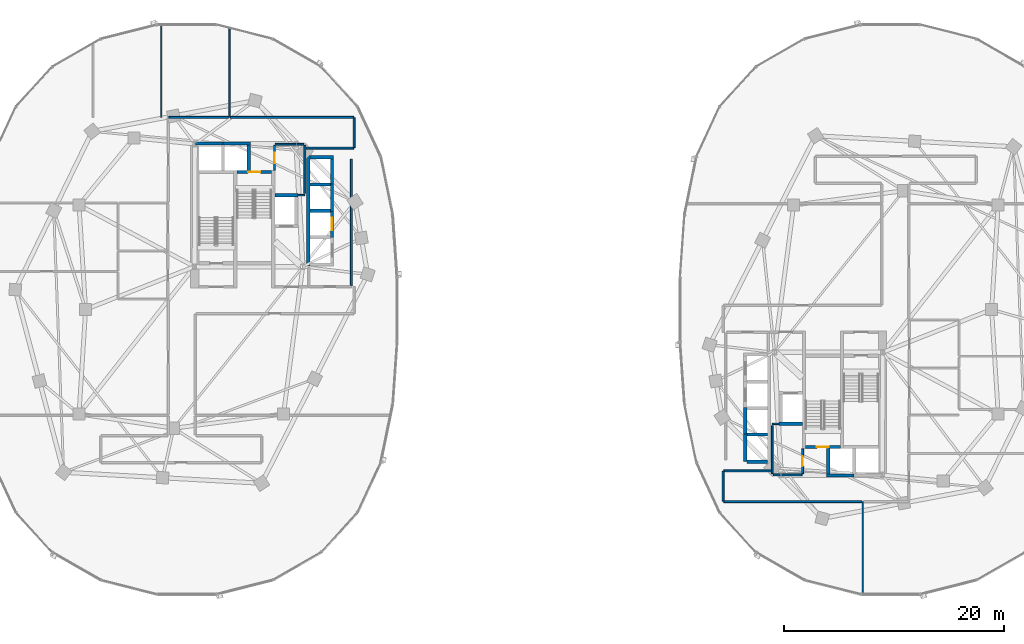
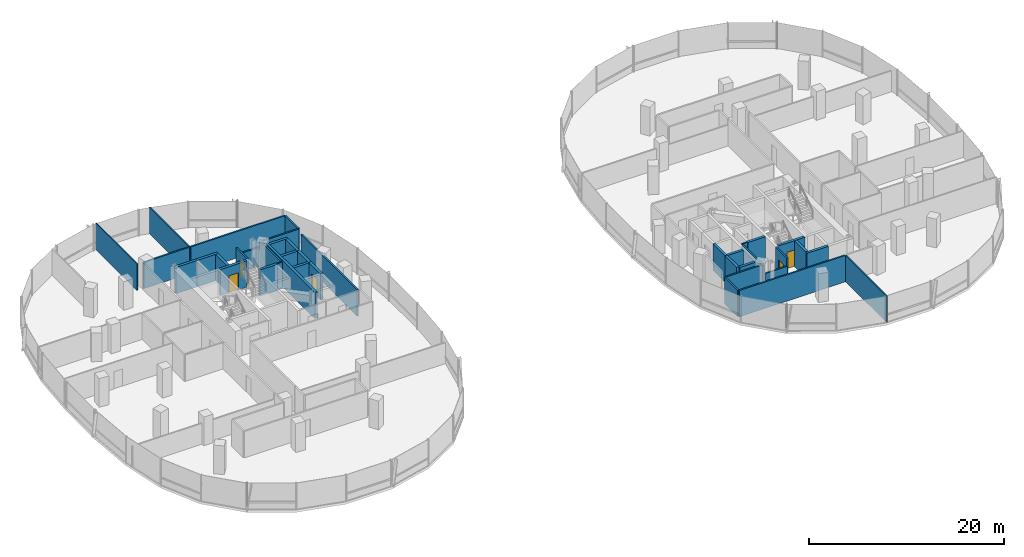
# One storey, part 12 of 21: 39 walls, 5 doors, 5 openings.
"""IFC4 building model written with IfcOpenShell, lengths in metres."""

from ifc_helpers import new_model, si_unit, direction, frame, frame_2d, origin, place, context, subcontext, project, spatial, rectangle, extrude, material, layer, layer_set, type_object, element, fill, save


model = new_model("IFC4")

# Units and contexts
model_context = context("Model", 3, precision=1e-05, world=origin(), true_north=direction((0.0, 1.0)))
body_context = subcontext(model_context, "Body", "Model", "MODEL_VIEW")
ifc_project = project(units=[si_unit("LENGTHUNIT", "METRE"), si_unit("AREAUNIT", "SQUARE_METRE"), si_unit("VOLUMEUNIT", "CUBIC_METRE"), si_unit("PLANEANGLEUNIT", "RADIAN"), si_unit("MASSUNIT", "GRAM", prefix="KILO"), si_unit("THERMODYNAMICTEMPERATUREUNIT", "KELVIN"), si_unit("POWERUNIT", "WATT")], contexts=[model_context])

# Site, building, storey
site_placement = place(None, origin())
site = spatial("IfcSite", under=ifc_project, at=site_placement, CompositionType="ELEMENT")
building_placement = place(site_placement, origin())
building = spatial("IfcBuilding", under=site, at=building_placement, Name="Cundina Bronze Exchange", CompositionType="ELEMENT")
storey_placement = place(building_placement, frame((0.0, 0.0, 96.199951171875)))
storey = spatial("IfcBuildingStorey", under=building, at=storey_placement, Name="L24", CompositionType="ELEMENT", Elevation=96.199951171875)

# Walls
ifc_material_1 = material(Name="Gypsum Fireboard Partition EI120")
ifc_layer_1 = layer(ifc_material_1, 0.179931640625, Name="Gypsum Fireboard Partition EI120")
ifc_layer_set_1 = layer_set([ifc_layer_1], Name="Gypsum Fireboard Partition EI120")
wall_type_1 = type_object("IfcWallType", Name="WL-COR-180", PredefinedType="PARTITIONING", material=ifc_layer_set_1)
wall_1_placement = place(storey_placement, frame((-17.02001953125, 2.169921875, 0.0), z_axis=(0.0, 0.0, 1.0), x_axis=(0.0, 1.0, 0.0)))
element("IfcWall", 1, at=wall_1_placement, inside=storey, type_object=wall_type_1, Name="L24 Interior Partition 001", PredefinedType="PARTITIONING", context=body_context, shape_type="SweptSolid", body=[
    extrude(rectangle(XDim=11.510009765625, YDim=0.179931640625, at=frame_2d((5.7548828125, 0.0))), origin(), (0.0, 0.0, 1.0), 3.300048828125),
])
wall_2_placement = place(storey_placement, frame((-21.25, 10.570068359375, 0.0), z_axis=(0.0, 0.0, 1.0), x_axis=(0.0, 1.0, 0.0)))
element("IfcWall", 2, at=wall_2_placement, inside=storey, type_object=wall_type_1, Name="L24 Interior Partition 004", PredefinedType="PARTITIONING", context=body_context, shape_type="SweptSolid", body=[
    extrude(rectangle(XDim=4.35986328125, YDim=0.179931640625, at=frame_2d((2.179931640625, 0.0))), origin(), (0.0, 0.0, 1.0), 3.300048828125),
])
wall_3_placement = place(storey_placement, frame((-23.9599609375, 15.030029296875, 0.0), z_axis=(0.0, 0.0, 1.0), x_axis=(1.0, 0.0, 0.0)))
element("IfcWall", 3, at=wall_3_placement, inside=storey, type_object=wall_type_1, Name="L24 Interior Partition 005", PredefinedType="PARTITIONING", context=body_context, shape_type="SweptSolid", body=[
    extrude(rectangle(XDim=2.60986328125, YDim=0.179931640625, at=frame_2d((1.304931640625, 0.0))), origin(), (0.0, 0.0, 1.0), 2.373046875),
])

# Wall, opening, door
wall_4_placement = place(storey_placement, frame((-24.02001953125, 12.669921875, 0.0), z_axis=(0.0, 0.0, 1.0), x_axis=(0.0, 1.0, 0.0)))
wall_4 = element("IfcWall", 4, at=wall_4_placement, inside=storey, type_object=wall_type_1, Name="L24 Interior Partition 006", PredefinedType="PARTITIONING", context=body_context, shape_type="SweptSolid", body=[
    extrude(rectangle(XDim=2.260009765625, YDim=0.179931640625, at=frame_2d((1.1298828125, 0.0))), origin(), (0.0, 0.0, 1.0), 3.300048828125),
])
opening_1_placement = place(wall_4_placement, frame((0.655029296875, 0.0, 0.0)))
opening_1 = element("IfcOpeningElement", 5, at=opening_1_placement, cuts=wall_4, Name="Opening DW-01", PredefinedType="OPENING", context=body_context, shape_type="SweptSolid", body=[
    extrude(rectangle(XDim=0.949951171875, YDim=2.10009765625, at=frame_2d((0.47509765625, 1.050048828125))), frame((0.0, 0.099853515625, 0.0), z_axis=(0.0, -1.0, 0.0), x_axis=(1.0, 0.0, 0.0)), (0.0, 0.0, 1.0), 0.199951171875),
])
ifc_material_2 = material(Name="Solid Andean Oak Timber Grade A", Category="wood")
door_type_1 = type_object("IfcDoorType", Name="DR-WC-950", OperationType="NOTDEFINED", PredefinedType="DOOR", material=ifc_material_2)
door_1_placement = place(opening_1_placement, origin())
door_1 = element("IfcDoor", 6, at=door_1_placement, inside=storey, type_object=door_type_1, Name="L24 Interior Door 006", OperationType="SINGLE_SWING_RIGHT", OverallHeight=2.10009765625, OverallWidth=0.949951171875, PredefinedType="DOOR", context=body_context, shape_type="SweptSolid", body=[
    extrude(rectangle(XDim=0.949951171875, YDim=2.10009765625, at=frame_2d((0.47509765625, 1.050048828125))), frame((0.0, 0.02490234375, 0.0), z_axis=(0.0, -1.0, 0.0), x_axis=(1.0, 0.0, 0.0)), (0.0, 0.0, 1.0), 0.050048828125),
])
fill(opening_1, door_1)

# Walls
wall_5_placement = place(storey_placement, frame((-16.821533203125, 17.469970703125, 0.0), z_axis=(0.0, 0.0, 1.0), x_axis=(-1.0, 0.0, 0.0)))
element("IfcWall", 7, at=wall_5_placement, inside=storey, type_object=wall_type_1, Name="L24 Interior Partition 030", PredefinedType="PARTITIONING", context=body_context, shape_type="SweptSolid", body=[
    extrude(rectangle(XDim=11.20849609375, YDim=0.179931640625, at=frame_2d((5.604248046875, 0.0))), origin(), (0.0, 0.0, 1.0), 3.300048828125),
])
wall_6_placement = place(storey_placement, frame((-21.178466796875, 14.679931640625, 0.0), z_axis=(0.0, 0.0, 1.0), x_axis=(1.0, 0.0, 0.0)))
element("IfcWall", 8, at=wall_6_placement, inside=storey, type_object=wall_type_1, Name="L24 Interior Partition 032", PredefinedType="PARTITIONING", context=body_context, shape_type="SweptSolid", body=[
    extrude(rectangle(XDim=4.35693359375, YDim=0.179931640625, at=frame_2d((2.178466796875, 0.0))), origin(), (0.0, 0.0, 1.0), 3.300048828125),
])
wall_7_placement = place(storey_placement, frame((-16.780029296875, 14.721435546875, 0.0), z_axis=(0.0, 0.0, 1.0), x_axis=(0.0, 1.0, 0.0)))
element("IfcWall", 9, at=wall_7_placement, inside=storey, type_object=wall_type_1, Name="L24 Interior Partition 033", PredefinedType="PARTITIONING", context=body_context, shape_type="SweptSolid", body=[
    extrude(rectangle(XDim=2.70703125, YDim=0.179931640625, at=frame_2d((1.353515625, 0.0))), origin(), (0.0, 0.0, 1.0), 3.300048828125),
])
wall_8_placement = place(storey_placement, frame((-28.2099609375, 17.469970703125, 0.0), z_axis=(0.0, 0.0, 1.0), x_axis=(-1.0, 0.0, 0.0)))
element("IfcWall", 10, at=wall_8_placement, inside=storey, type_object=wall_type_1, Name="L24 Interior Partition 036", PredefinedType="PARTITIONING", context=body_context, shape_type="SweptSolid", body=[
    extrude(rectangle(XDim=5.41845703125, YDim=0.179931640625, at=frame_2d((2.709228515625, 0.0))), origin(), (0.0, 0.0, 1.0), 3.300048828125),
])
wall_9_placement = place(storey_placement, frame((21.25, -14.929931640625, 0.0), z_axis=(0.0, 0.0, 1.0), x_axis=(0.0, 1.0, 0.0)))
element("IfcWall", 11, at=wall_9_placement, inside=storey, type_object=wall_type_1, Name="L24 Interior Partition 041", PredefinedType="PARTITIONING", context=body_context, shape_type="SweptSolid", body=[
    extrude(rectangle(XDim=4.35986328125, YDim=0.179931640625, at=frame_2d((2.179931640625, 0.0))), origin(), (0.0, 0.0, 1.0), 3.300048828125),
])
wall_10_placement = place(storey_placement, frame((21.35009765625, -15.030029296875, 0.0), z_axis=(0.0, 0.0, 1.0), x_axis=(1.0, 0.0, 0.0)))
element("IfcWall", 12, at=wall_10_placement, inside=storey, type_object=wall_type_1, Name="L24 Interior Partition 042", PredefinedType="PARTITIONING", context=body_context, shape_type="SweptSolid", body=[
    extrude(rectangle(XDim=2.60986328125, YDim=0.179931640625, at=frame_2d((1.304931640625, 0.0))), origin(), (0.0, 0.0, 1.0), 2.373046875),
])

# Wall, opening, door
wall_11_placement = place(storey_placement, frame((24.02001953125, -14.929931640625, 0.0), z_axis=(0.0, 0.0, 1.0), x_axis=(0.0, 1.0, 0.0)))
wall_11 = element("IfcWall", 13, at=wall_11_placement, inside=storey, type_object=wall_type_1, Name="L24 Interior Partition 043", PredefinedType="PARTITIONING", context=body_context, shape_type="SweptSolid", body=[
    extrude(rectangle(XDim=2.260009765625, YDim=0.179931640625, at=frame_2d((1.1298828125, 0.0))), origin(), (0.0, 0.0, 1.0), 3.300048828125),
])
opening_2_placement = place(wall_11_placement, frame((0.655029296875, 0.0, 0.0)))
opening_2 = element("IfcOpeningElement", 14, at=opening_2_placement, cuts=wall_11, Name="Opening DW-01", PredefinedType="OPENING", context=body_context, shape_type="SweptSolid", body=[
    extrude(rectangle(XDim=0.949951171875, YDim=2.10009765625, at=frame_2d((0.47509765625, 1.050048828125))), frame((0.0, 0.099853515625, 0.0), z_axis=(0.0, -1.0, 0.0), x_axis=(1.0, 0.0, 0.0)), (0.0, 0.0, 1.0), 0.199951171875),
])
door_2_placement = place(opening_2_placement, origin())
door_2 = element("IfcDoor", 15, at=door_2_placement, inside=storey, type_object=door_type_1, Name="L24 Interior Door 043", OperationType="SINGLE_SWING_LEFT", OverallHeight=2.10009765625, OverallWidth=0.949951171875, PredefinedType="DOOR", context=body_context, shape_type="SweptSolid", body=[
    extrude(rectangle(XDim=0.949951171875, YDim=2.10009765625, at=frame_2d((0.47509765625, 1.050048828125))), frame((0.0, 0.02490234375, 0.0), z_axis=(0.0, -1.0, 0.0), x_axis=(1.0, 0.0, 0.0)), (0.0, 0.0, 1.0), 0.050048828125),
])
fill(opening_2, door_2)

# Walls
wall_12_placement = place(storey_placement, frame((16.821533203125, -17.469970703125, 0.0), z_axis=(0.0, 0.0, 1.0), x_axis=(1.0, 0.0, 0.0)))
element("IfcWall", 16, at=wall_12_placement, inside=storey, type_object=wall_type_1, Name="L24 Interior Partition 061", PredefinedType="PARTITIONING", context=body_context, shape_type="SweptSolid", body=[
    extrude(rectangle(XDim=12.568359375, YDim=0.179931640625, at=frame_2d((6.2841796875, 0.0))), origin(), (0.0, 0.0, 1.0), 3.300048828125),
])
wall_13_placement = place(storey_placement, frame((21.178466796875, -14.679931640625, 0.0), z_axis=(0.0, 0.0, 1.0), x_axis=(-1.0, 0.0, 0.0)))
element("IfcWall", 17, at=wall_13_placement, inside=storey, type_object=wall_type_1, Name="L24 Interior Partition 063", PredefinedType="PARTITIONING", context=body_context, shape_type="SweptSolid", body=[
    extrude(rectangle(XDim=4.35693359375, YDim=0.179931640625, at=frame_2d((2.178466796875, 0.0))), origin(), (0.0, 0.0, 1.0), 3.300048828125),
])
wall_14_placement = place(storey_placement, frame((16.780029296875, -14.721435546875, 0.0), z_axis=(0.0, 0.0, 1.0), x_axis=(0.0, -1.0, 0.0)))
element("IfcWall", 18, at=wall_14_placement, inside=storey, type_object=wall_type_1, Name="L24 Interior Partition 064", PredefinedType="PARTITIONING", context=body_context, shape_type="SweptSolid", body=[
    extrude(rectangle(XDim=2.70703125, YDim=0.179931640625, at=frame_2d((1.353515625, 0.0))), origin(), (0.0, 0.0, 1.0), 3.300048828125),
])
ifc_material_3 = material(Name="Gypsum Acoustic Partition EI60")
ifc_layer_2 = layer(ifc_material_3, 0.125, Name="Gypsum Acoustic Partition EI60")
ifc_layer_set_2 = layer_set([ifc_layer_2], Name="Gypsum Acoustic Partition EI60")
wall_type_2 = type_object("IfcWallType", Name="WL-OFF-125", PredefinedType="PARTITIONING", material=ifc_layer_set_2)
wall_15_placement = place(storey_placement, frame((-34.320068359375, 17.469970703125, 0.0), z_axis=(0.0, 0.0, 1.0), x_axis=(0.0, 1.0, 0.0)))
element("IfcWall", 19, at=wall_15_placement, inside=storey, type_object=wall_type_2, Name="L24 Interior Partition 019", PredefinedType="PARTITIONING", context=body_context, shape_type="SweptSolid", body=[
    extrude(rectangle(XDim=8.51513671875, YDim=0.125, at=frame_2d((4.257568359375, 0.0))), origin(), (0.0, 0.0, 1.0), 3.300048828125),
])
wall_16_placement = place(storey_placement, frame((-28.1201171875, 17.5, 0.0), z_axis=(0.0, 0.0, 1.0), x_axis=(0.0, 1.0, 0.0)))
element("IfcWall", 20, at=wall_16_placement, inside=storey, type_object=wall_type_2, Name="L24 Interior Partition 020", PredefinedType="PARTITIONING", context=body_context, shape_type="SweptSolid", body=[
    extrude(rectangle(XDim=8.1875, YDim=0.125, at=frame_2d((4.09375, 0.0))), origin(), (0.0, 0.0, 1.0), 3.300048828125),
])
wall_17_placement = place(storey_placement, frame((29.47998046875, -25.985107421875, 0.0), z_axis=(0.0, 0.0, 1.0), x_axis=(0.0, 1.0, 0.0)))
element("IfcWall", 21, at=wall_17_placement, inside=storey, type_object=wall_type_2, Name="L24 Interior Partition 056", PredefinedType="PARTITIONING", context=body_context, shape_type="SweptSolid", body=[
    extrude(rectangle(XDim=8.485107421875, YDim=0.125, at=frame_2d((4.24267578125, 0.0))), origin(), (0.0, 0.0, 1.0), 3.300048828125),
])

# Wall, opening, door
ifc_material_4 = material(Name="Concrete C50/60", Category="concrete")
ifc_layer_3 = layer(ifc_material_4, 0.300048828125, Name="Concrete C50/60", Category="concrete")
ifc_layer_set_3 = layer_set([ifc_layer_3], Name="Concrete C50/60")
wall_type_3 = type_object("IfcWallType", Name="WL-SHFT-300", PredefinedType="SHEAR", material=ifc_layer_set_3)
wall_18_placement = place(storey_placement, frame((-27.43994140625, 12.5, 0.0), z_axis=(0.0, 0.0, 1.0), x_axis=(1.0, 0.0, 0.0)))
wall_18 = element("IfcWall", 22, at=wall_18_placement, inside=storey, type_object=wall_type_3, Name="L24 Stair W2 Landing Wall", PredefinedType="SHEAR", context=body_context, shape_type="SweptSolid", body=[
    extrude(rectangle(XDim=3.159912109375, YDim=0.300048828125, at=frame_2d((1.580078125, 0.0))), origin(), (0.0, 0.0, 1.0), 3.300048828125),
])
opening_3_placement = place(wall_18_placement, frame((1.030029296875, 0.0, 0.0)))
opening_3 = element("IfcOpeningElement", 23, at=opening_3_placement, cuts=wall_18, Name="Opening DS-01", PredefinedType="OPENING", context=body_context, shape_type="SweptSolid", body=[
    extrude(rectangle(XDim=1.10009765625, YDim=2.14990234375, at=frame_2d((0.550048828125, 1.074951171875))), frame((0.0, 0.159912109375, 0.0), z_axis=(0.0, -1.0, 0.0), x_axis=(1.0, 0.0, 0.0)), (0.0, 0.0, 1.0), 0.320068359375),
])
ifc_material_5 = material(Name="Steel ASTM A36 Painted", Category="steel")
door_type_2 = type_object("IfcDoorType", Name="DR-STR-1100", OperationType="NOTDEFINED", PredefinedType="DOOR", material=ifc_material_5)
door_3_placement = place(opening_3_placement, origin())
door_3 = element("IfcDoor", 24, at=door_3_placement, inside=storey, type_object=door_type_2, Name="L24 Smokeproof Stair W2 Door", OperationType="SINGLE_SWING_LEFT", OverallHeight=2.14990234375, OverallWidth=1.10009765625, PredefinedType="DOOR", context=body_context, shape_type="SweptSolid", body=[
    extrude(rectangle(XDim=1.10009765625, YDim=2.14990234375, at=frame_2d((0.550048828125, 1.074951171875))), frame((0.0, 0.02490234375, 0.0), z_axis=(0.0, -1.0, 0.0), x_axis=(1.0, 0.0, 0.0)), (0.0, 0.0, 1.0), 0.050048828125),
])
fill(opening_3, door_3)

# Walls
wall_19_placement = place(storey_placement, frame((-23.97998046875, 10.39990234375, 0.0), z_axis=(0.0, 0.0, 1.0), x_axis=(1.0, 0.0, 0.0)))
element("IfcWall", 25, at=wall_19_placement, inside=storey, type_object=wall_type_3, Name="L24 FFL-W Hoistway Back Wall", PredefinedType="SHEAR", context=body_context, shape_type="SweptSolid", body=[
    extrude(rectangle(XDim=2.10009765625, YDim=0.300048828125, at=frame_2d((1.050048828125, 0.0))), origin(), (0.0, 0.0, 1.0), 3.300048828125),
])
for number, where, z_axis, x_axis, name in (
    (26, (-31.199951171875, 15.10009765625, 0.0), (0.0, 0.0, 1.0), (1.0, 0.0, 0.0), "L24 PH-W1 Hoistway Front Wall"),
    (27, (-28.699951171875, 15.10009765625, 0.0), (0.0, 0.0, 1.0), (1.0, 0.0, 0.0), "L24 PH-W2 Hoistway Front Wall"),
):
    element("IfcWall", number, at=place(storey_placement, frame(where, z_axis=z_axis, x_axis=x_axis)), inside=storey, type_object=wall_type_3, Name=name, PredefinedType="SHEAR", context=body_context, shape_type="SweptSolid", body=[
        extrude(rectangle(XDim=2.5, YDim=0.300048828125, at=frame_2d((1.25, 0.0))), origin(), (0.0, 0.0, 1.0), 3.300048828125),
    ])
wall_20_placement = place(storey_placement, frame((-26.35009765625, 12.64990234375, 0.0), z_axis=(0.0, 0.0, 1.0), x_axis=(0.0, 1.0, 0.0)))
element("IfcWall", 28, at=wall_20_placement, inside=storey, type_object=wall_type_3, Name="L24 PH-W2 Hoistway Divider Wall", PredefinedType="SHEAR", context=body_context, shape_type="SweptSolid", body=[
    extrude(rectangle(XDim=2.300048828125, YDim=0.300048828125, at=frame_2d((1.14990234375, 0.0))), origin(), (0.0, 0.0, 1.0), 3.300048828125),
])
wall_21_placement = place(storey_placement, frame((-20.949951171875, 3.949951171875, 0.0), z_axis=(0.0, 0.0, 1.0), x_axis=(0.0, 1.0, 0.0)))
element("IfcWall", 29, at=wall_21_placement, inside=storey, type_object=wall_type_3, Name="L24 W Passenger Bank Hoistway Back Wall", PredefinedType="SHEAR", context=body_context, shape_type="SweptSolid", body=[
    extrude(rectangle(XDim=10.050048828125, YDim=0.300048828125, at=frame_2d((5.02490234375, 0.0))), origin(), (0.0, 0.0, 1.0), 3.300048828125),
])
wall_22_placement = place(storey_placement, frame((-20.800048828125, 13.85009765625, 0.0), z_axis=(0.0, 0.0, 1.0), x_axis=(1.0, 0.0, 0.0)))
element("IfcWall", 30, at=wall_22_placement, inside=storey, type_object=wall_type_3, Name="L24 W Passenger Bank North Cap Wall", PredefinedType="SHEAR", context=body_context, shape_type="SweptSolid", body=[
    extrude(rectangle(XDim=2.150146484375, YDim=0.300048828125, at=frame_2d((1.0751953125, 0.0))), origin(), (0.0, 0.0, 1.0), 3.300048828125),
])
for number, where, z_axis, x_axis, name in (
    (31, (-20.800048828125, 8.97509765625, 0.0), (0.0, 0.0, 1.0), (1.0, 0.0, 0.0), "L24 W Passenger Hoistway Divider 2"),
    (32, (-20.800048828125, 11.375, 0.0), (0.0, 0.0, 1.0), (1.0, 0.0, 0.0), "L24 W Passenger Hoistway Divider 3"),
):
    element("IfcWall", number, at=place(storey_placement, frame(where, z_axis=z_axis, x_axis=x_axis)), inside=storey, type_object=wall_type_3, Name=name, PredefinedType="SHEAR", context=body_context, shape_type="SweptSolid", body=[
        extrude(rectangle(XDim=1.85009765625, YDim=0.300048828125, at=frame_2d((0.925048828125, 0.0))), origin(), (0.0, 0.0, 1.0), 3.300048828125),
    ])

# Wall, opening, door
wall_23_placement = place(storey_placement, frame((-18.800048828125, 6.530029296875, 0.0), z_axis=(0.0, 0.0, 1.0), x_axis=(0.0, 1.0, 0.0)))
wall_23 = element("IfcWall", 33, at=wall_23_placement, inside=storey, type_object=wall_type_3, Name="L24 PL-W1 Hoistway Front Wall", PredefinedType="SHEAR", context=body_context, shape_type="SweptSolid", body=[
    extrude(rectangle(XDim=2.489990234375, YDim=0.300048828125, at=frame_2d((1.2451171875, 0.0))), origin(), (0.0, 0.0, 1.0), 3.300048828125),
])
opening_4_placement = place(wall_23_placement, frame((0.669921875, 0.0, 0.0)))
opening_4 = element("IfcOpeningElement", 34, at=opening_4_placement, cuts=wall_23, Name="Opening LD-01", PredefinedType="OPENING", context=body_context, shape_type="SweptSolid", body=[
    extrude(rectangle(XDim=1.14990234375, YDim=2.199951171875, at=frame_2d((0.574951171875, 1.10009765625))), frame((0.0, 0.159912109375, 0.0), z_axis=(0.0, -1.0, 0.0), x_axis=(1.0, 0.0, 0.0)), (0.0, 0.0, 1.0), 0.320068359375),
])
door_type_3 = type_object("IfcDoorType", Name="DR-LND-1150", OperationType="NOTDEFINED", PredefinedType="TRAPDOOR", material=ifc_material_5)
door_4_placement = place(opening_4_placement, origin())
door_4 = element("IfcDoor", 35, at=door_4_placement, inside=storey, type_object=door_type_3, Name="L24 PL-W1 Sliding Landing Door", OperationType="SLIDING_TO_LEFT", OverallHeight=2.199951171875, OverallWidth=1.14990234375, PredefinedType="TRAPDOOR", context=body_context, shape_type="SweptSolid", body=[
    extrude(rectangle(XDim=1.14990234375, YDim=2.199951171875, at=frame_2d((0.574951171875, 1.10009765625))), frame((0.0, 0.02490234375, 0.0), z_axis=(0.0, -1.0, 0.0), x_axis=(1.0, 0.0, 0.0)), (0.0, 0.0, 1.0), 0.050048828125),
])
fill(opening_4, door_4)

# Walls
for number, where, z_axis, x_axis, name in (
    (36, (-18.800048828125, 8.929931640625, 0.0), (0.0, 0.0, 1.0), (0.0, 1.0, 0.0), "L24 PM-W2 Hoistway Front Wall"),
    (37, (-18.800048828125, 11.330078125, 0.0), (0.0, 0.0, 1.0), (0.0, 1.0, 0.0), "L24 PM-W1 Hoistway Front Wall"),
):
    element("IfcWall", number, at=place(storey_placement, frame(where, z_axis=z_axis, x_axis=x_axis)), inside=storey, type_object=wall_type_3, Name=name, PredefinedType="SHEAR", context=body_context, shape_type="SweptSolid", body=[
        extrude(rectangle(XDim=2.489990234375, YDim=0.300048828125, at=frame_2d((1.2451171875, 0.0))), origin(), (0.0, 0.0, 1.0), 3.300048828125),
    ])

# Wall, opening, door
wall_24_placement = place(storey_placement, frame((24.280029296875, -12.5, 0.0), z_axis=(0.0, 0.0, 1.0), x_axis=(1.0, 0.0, 0.0)))
wall_24 = element("IfcWall", 38, at=wall_24_placement, inside=storey, type_object=wall_type_3, Name="L24 Stair E2 Landing Wall", PredefinedType="SHEAR", context=body_context, shape_type="SweptSolid", body=[
    extrude(rectangle(XDim=3.159912109375, YDim=0.300048828125, at=frame_2d((1.580078125, 0.0))), origin(), (0.0, 0.0, 1.0), 3.300048828125),
])
opening_5_placement = place(wall_24_placement, frame((1.030029296875, 0.0, 0.0)))
opening_5 = element("IfcOpeningElement", 39, at=opening_5_placement, cuts=wall_24, Name="Opening DS-01", PredefinedType="OPENING", context=body_context, shape_type="SweptSolid", body=[
    extrude(rectangle(XDim=1.10009765625, YDim=2.14990234375, at=frame_2d((0.550048828125, 1.074951171875))), frame((0.0, 0.159912109375, 0.0), z_axis=(0.0, -1.0, 0.0), x_axis=(1.0, 0.0, 0.0)), (0.0, 0.0, 1.0), 0.320068359375),
])
door_5_placement = place(opening_5_placement, origin())
door_5 = element("IfcDoor", 40, at=door_5_placement, inside=storey, type_object=door_type_2, Name="L24 Smokeproof Stair E2 Door", OperationType="SINGLE_SWING_RIGHT", OverallHeight=2.14990234375, OverallWidth=1.10009765625, PredefinedType="DOOR", context=body_context, shape_type="SweptSolid", body=[
    extrude(rectangle(XDim=1.10009765625, YDim=2.14990234375, at=frame_2d((0.550048828125, 1.074951171875))), frame((0.0, 0.02490234375, 0.0), z_axis=(0.0, -1.0, 0.0), x_axis=(1.0, 0.0, 0.0)), (0.0, 0.0, 1.0), 0.050048828125),
])
fill(opening_5, door_5)

# Walls
wall_25_placement = place(storey_placement, frame((21.8798828125, -10.39990234375, 0.0), z_axis=(0.0, 0.0, 1.0), x_axis=(1.0, 0.0, 0.0)))
element("IfcWall", 41, at=wall_25_placement, inside=storey, type_object=wall_type_3, Name="L24 FFL-E Hoistway Back Wall", PredefinedType="SHEAR", context=body_context, shape_type="SweptSolid", body=[
    extrude(rectangle(XDim=2.10009765625, YDim=0.300048828125, at=frame_2d((1.050048828125, 0.0))), origin(), (0.0, 0.0, 1.0), 3.300048828125),
])
wall_26_placement = place(storey_placement, frame((26.199951171875, -15.10009765625, 0.0), z_axis=(0.0, 0.0, 1.0), x_axis=(1.0, 0.0, 0.0)))
element("IfcWall", 42, at=wall_26_placement, inside=storey, type_object=wall_type_3, Name="L24 PH-E2 Hoistway Front Wall", PredefinedType="SHEAR", context=body_context, shape_type="SweptSolid", body=[
    extrude(rectangle(XDim=2.5, YDim=0.300048828125, at=frame_2d((1.25, 0.0))), origin(), (0.0, 0.0, 1.0), 3.300048828125),
])
wall_27_placement = place(storey_placement, frame((26.35009765625, -14.949951171875, 0.0), z_axis=(0.0, 0.0, 1.0), x_axis=(0.0, 1.0, 0.0)))
element("IfcWall", 43, at=wall_27_placement, inside=storey, type_object=wall_type_3, Name="L24 PH-E2 Hoistway Divider Wall", PredefinedType="SHEAR", context=body_context, shape_type="SweptSolid", body=[
    extrude(rectangle(XDim=2.300048828125, YDim=0.300048828125, at=frame_2d((1.14990234375, 0.0))), origin(), (0.0, 0.0, 1.0), 3.300048828125),
])
for number, where, z_axis, x_axis, name in (
    (44, (18.949951171875, -13.85009765625, 0.0), (0.0, 0.0, 1.0), (1.0, 0.0, 0.0), "L24 E Passenger Bank South Cap Wall"),
    (45, (18.949951171875, -11.375, 0.0), (0.0, 0.0, 1.0), (1.0, 0.0, 0.0), "L24 E Passenger Hoistway Divider 1"),
):
    element("IfcWall", number, at=place(storey_placement, frame(where, z_axis=z_axis, x_axis=x_axis)), inside=storey, type_object=wall_type_3, Name=name, PredefinedType="SHEAR", context=body_context, shape_type="SweptSolid", body=[
        extrude(rectangle(XDim=1.85009765625, YDim=0.300048828125, at=frame_2d((0.925048828125, 0.0))), origin(), (0.0, 0.0, 1.0), 3.300048828125),
    ])
for number, where, z_axis, x_axis, name in (
    (46, (18.800048828125, -13.820068359375, 0.0), (0.0, 0.0, 1.0), (0.0, 1.0, 0.0), "L24 PM-E1 Hoistway Front Wall"),
    (47, (18.800048828125, -11.419921875, 0.0), (0.0, 0.0, 1.0), (0.0, 1.0, 0.0), "L24 PM-E2 Hoistway Front Wall"),
):
    element("IfcWall", number, at=place(storey_placement, frame(where, z_axis=z_axis, x_axis=x_axis)), inside=storey, type_object=wall_type_3, Name=name, PredefinedType="SHEAR", context=body_context, shape_type="SweptSolid", body=[
        extrude(rectangle(XDim=2.489990234375, YDim=0.300048828125, at=frame_2d((1.2451171875, 0.0))), origin(), (0.0, 0.0, 1.0), 3.300048828125),
    ])
ifc_material_6 = material(Name="Moisture-Resistant Masonry Block Grade M15", Category="masonry")
ifc_layer_4 = layer(ifc_material_6, 0.139892578125, Name="Moisture-Resistant Masonry Block Grade M15", Category="masonry")
ifc_layer_set_4 = layer_set([ifc_layer_4], Name="Moisture-Resistant Masonry Block Grade M15")
wall_type_4 = type_object("IfcWallType", Name="WL-WET-140", PredefinedType="PARTITIONING", material=ifc_layer_set_4)
for number, where, z_axis, x_axis, name in (
    (48, (-21.860107421875, 10.39990234375, 0.0), (0.0, 0.0, 1.0), (1.0, 0.0, 0.0), "L24 Interior Partition 003"),
    (49, (21.27001953125, -10.39990234375, 0.0), (0.0, 0.0, 1.0), (1.0, 0.0, 0.0), "L24 Interior Partition 040"),
):
    element("IfcWall", number, at=place(storey_placement, frame(where, z_axis=z_axis, x_axis=x_axis)), inside=storey, type_object=wall_type_4, Name=name, PredefinedType="PARTITIONING", context=body_context, shape_type="SweptSolid", body=[
        extrude(rectangle(XDim=0.590087890625, YDim=0.139892578125, at=frame_2d((0.294921875, 0.0))), origin(), (0.0, 0.0, 1.0), 3.300048828125),
    ])

save(model, "model.ifc")
